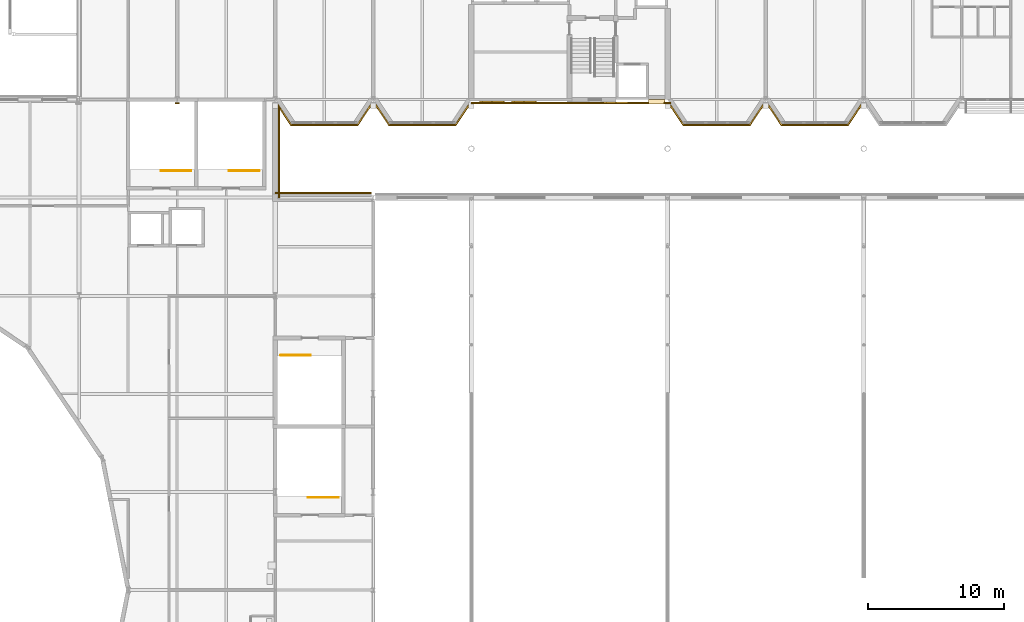
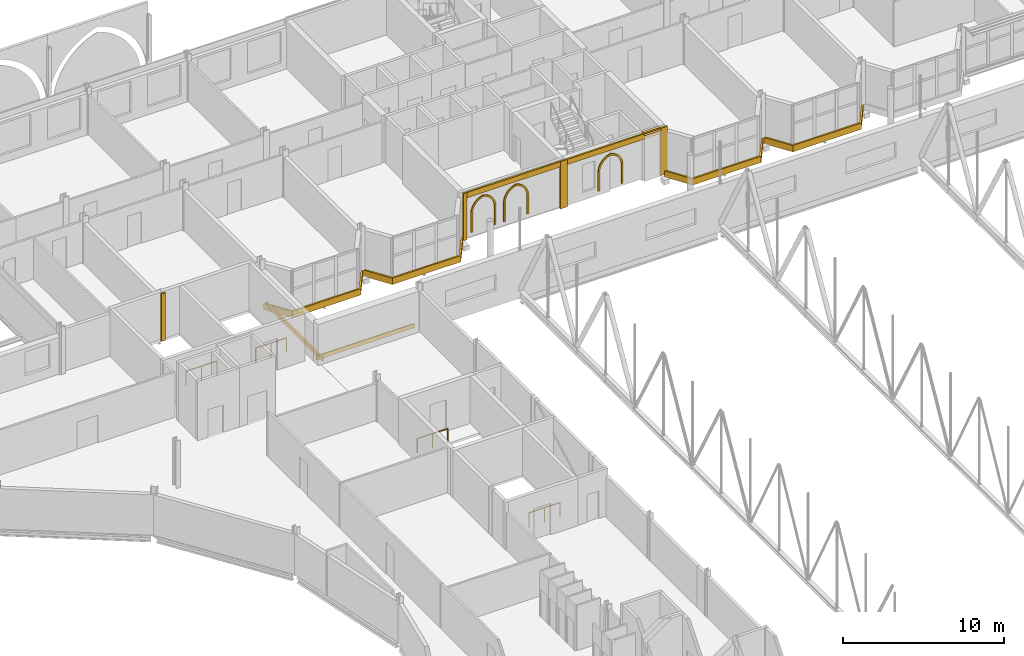
# One storey, part 127 of 142: 16 coverings, 4 railings.
"""IFC4 building model written with IfcOpenShell, lengths in metres."""

from ifc_helpers import new_model, si_unit, direction, frame, origin, origin_2d, place, context, subcontext, project, spatial, polyline, rectangle, circle, outline, extrude, material, layer, layer_set, type_object, element, save


model = new_model("IFC4")

# Units and contexts
model_context = context("Model", 3, precision=1e-05, world=origin(), true_north=direction((0.0, 1.0)))
body_context = subcontext(model_context, "Body", "Model", "MODEL_VIEW")
ifc_project = project(units=[si_unit("LENGTHUNIT", "METRE"), si_unit("AREAUNIT", "SQUARE_METRE"), si_unit("VOLUMEUNIT", "CUBIC_METRE"), si_unit("PLANEANGLEUNIT", "RADIAN"), si_unit("MASSUNIT", "GRAM", prefix="KILO")], contexts=[model_context])

# Site, building, storey
site_placement = place(None, origin())
site = spatial("IfcSite", under=ifc_project, at=site_placement, CompositionType="ELEMENT")
building_placement = place(site_placement, origin())
building = spatial("IfcBuilding", under=site, at=building_placement, Name="Kupolbacken Congress Centre", CompositionType="ELEMENT")
storey_placement = place(building_placement, frame((0.0, 0.0, 14.39990234375)))
storey = spatial("IfcBuildingStorey", under=building, at=storey_placement, Name="L04", CompositionType="ELEMENT", Elevation=14.39990234375)

# Coverings
ifc_material_1 = material(Name="Limestone cladding", Category="masonry")
ifc_layer_1 = layer(ifc_material_1, 0.1201171875)
ifc_layer_set_1 = layer_set([ifc_layer_1], Name="Limestone cladding")
covering_type_1 = type_object("IfcCoveringType", Name="CV1 limestone cladding band 120", PredefinedType="CLADDING", material=ifc_layer_set_1)
covering_1_placement = place(storey_placement, frame((79.47998046875, 118.69189453125, 0.0), z_axis=(0.0, 0.0, 1.0), x_axis=(0.0, 1.0, 0.0)))
element("IfcCovering", 1, at=covering_1_placement, inside=storey, type_object=covering_type_1, Name="E/P/E/L04/442/band", PredefinedType="CLADDING", context=body_context, shape_type="SweptSolid", body=[
    extrude(rectangle(XDim=6.98388671875, YDim=0.1201171875, at=origin_2d()), origin(), (0.0, 0.0, 1.0), 0.300048828125),
])
covering_2_placement = place(storey_placement, frame((0.0, 0.0, -0.199951171875)))
element("IfcCovering", 2, at=covering_2_placement, inside=storey, type_object=covering_type_1, Name="E/T/belt/L04/S/108", PredefinedType="CLADDING", context=body_context, shape_type="SweptSolid", body=[
    extrude(outline(polyline([(115.177490234375, 122.14990234375), (115.033203125, 122.14990234375), (114.0, 120.60009765625), (109.199951171875, 120.60009765625), (108.166748046875, 122.14990234375), (108.0224609375, 122.14990234375), (109.1357421875, 120.47998046875), (114.064208984375, 120.47998046875), (115.177490234375, 122.14990234375)])), origin(), (0.0, 0.0, 1.0), 0.47998046875),
])
covering_3_placement = place(storey_placement, frame((0.0, 0.0, -0.199951171875)))
element("IfcCovering", 3, at=covering_3_placement, inside=storey, type_object=covering_type_1, Name="E/T/belt/L04/S/115.2", PredefinedType="CLADDING", context=body_context, shape_type="SweptSolid", body=[
    extrude(outline(polyline([(122.377685546875, 122.14990234375), (122.2333984375, 122.14990234375), (121.199951171875, 120.60009765625), (116.39990234375, 120.60009765625), (115.36669921875, 122.14990234375), (115.222412109375, 122.14990234375), (116.335693359375, 120.47998046875), (121.26416015625, 120.47998046875), (122.377685546875, 122.14990234375)])), origin(), (0.0, 0.0, 1.0), 0.47998046875),
])
covering_4_placement = place(storey_placement, frame((0.0, 0.0, -0.199951171875)))
element("IfcCovering", 4, at=covering_4_placement, inside=storey, type_object=covering_type_1, Name="E/T/belt/L04/S/79.2", PredefinedType="CLADDING", context=body_context, shape_type="SweptSolid", body=[
    extrude(outline(polyline([(86.377685546875, 122.14990234375), (86.2333984375, 122.14990234375), (85.199951171875, 120.60009765625), (80.39990234375, 120.60009765625), (79.36669921875, 122.14990234375), (79.222412109375, 122.14990234375), (80.335693359375, 120.47998046875), (85.26416015625, 120.47998046875), (86.377685546875, 122.14990234375)])), origin(), (0.0, 0.0, 1.0), 0.47998046875),
])
covering_5_placement = place(storey_placement, frame((0.0, 0.0, -0.199951171875)))
element("IfcCovering", 5, at=covering_5_placement, inside=storey, type_object=covering_type_1, Name="E/T/belt/L04/S/86.4", PredefinedType="CLADDING", context=body_context, shape_type="SweptSolid", body=[
    extrude(outline(polyline([(93.57763671875, 122.14990234375), (93.433349609375, 122.14990234375), (92.39990234375, 120.60009765625), (87.60009765625, 120.60009765625), (86.566650390625, 122.14990234375), (86.42236328125, 122.14990234375), (87.535888671875, 120.47998046875), (92.464111328125, 120.47998046875), (93.57763671875, 122.14990234375)])), origin(), (0.0, 0.0, 1.0), 0.47998046875),
])
covering_6_placement = place(storey_placement, frame((107.199951171875, 122.2451171875, 3.4599609375), z_axis=(0.0, 0.0, 1.0), x_axis=(1.0, 0.0, 0.0)))
element("IfcCovering", 6, at=covering_6_placement, inside=storey, type_object=covering_type_1, Name="E/T/S/L04/056/band", PredefinedType="CLADDING", context=body_context, shape_type="SweptSolid", body=[
    extrude(rectangle(XDim=1.199951171875, YDim=0.31005859375, at=origin_2d()), origin(), (0.0, 0.0, 1.0), 0.139892578125),
])
covering_7_placement = place(storey_placement, frame((72.0, 122.134033203125, 0.0), z_axis=(0.0, 0.0, 1.0), x_axis=(1.0, 0.0, 0.0)))
element("IfcCovering", 7, at=covering_7_placement, inside=storey, type_object=covering_type_1, Name="E/T/pilaster/L04/C-T-11T/S", PredefinedType="CLADDING", context=body_context, shape_type="SweptSolid", body=[
    extrude(rectangle(XDim=0.306884765625, YDim=0.10009765625, at=origin_2d()), origin(), (0.0, 0.0, 1.0), 3.60009765625),
])
covering_8_placement = place(storey_placement, frame((93.72509765625, 122.1650390625, 0.0), z_axis=(0.0, 0.0, 1.0), x_axis=(1.0, 0.0, 0.0)))
element("IfcCovering", 8, at=covering_8_placement, inside=storey, type_object=covering_type_1, Name="E/T/stripe/S/L04/pil93.6", PredefinedType="CLADDING", context=body_context, shape_type="SweptSolid", body=[
    extrude(rectangle(XDim=0.25, YDim=0.1201171875, at=origin_2d()), origin(), (0.0, 0.0, 1.0), 3.60009765625),
])
for number, where, z_axis, x_axis, name in (
    (9, (100.800048828125, 122.1650390625, 0.0), (0.0, 0.0, 1.0), (1.0, 0.0, 0.0), "E/T/stripe/S/L04/pil100.8"),
    (10, (108.0, 122.1650390625, 0.0), (0.0, 0.0, 1.0), (1.0, 0.0, 0.0), "E/T/stripe/S/L04/pil108"),
):
    element("IfcCovering", number, at=place(storey_placement, frame(where, z_axis=z_axis, x_axis=x_axis)), inside=storey, type_object=covering_type_1, Name=name, PredefinedType="CLADDING", context=body_context, shape_type="SweptSolid", body=[
        extrude(rectangle(XDim=0.5, YDim=0.1201171875, at=origin_2d()), origin(), (0.0, 0.0, 1.0), 3.60009765625),
    ])
covering_9_placement = place(storey_placement, frame((97.199951171875, 122.1650390625, 3.2001953125), z_axis=(0.0, 0.0, 1.0), x_axis=(1.0, 0.0, 0.0)))
element("IfcCovering", 11, at=covering_9_placement, inside=storey, type_object=covering_type_1, Name="E/T/stripe/S/L04/belt93.6", PredefinedType="CLADDING", context=body_context, shape_type="SweptSolid", body=[
    extrude(rectangle(XDim=6.699951171875, YDim=0.1201171875, at=origin_2d()), origin(), (0.0, 0.0, 1.0), 0.39990234375),
])
covering_10_placement = place(storey_placement, frame((94.199951171875, 122.300048828125, 0.35009765625), z_axis=(0.0, -1.0, 0.0), x_axis=(1.0, 0.0, 0.0)))
element("IfcCovering", 12, at=covering_10_placement, inside=storey, type_object=covering_type_1, Name="E/T/stripe/S/L04/niche93.6/1", PredefinedType="CLADDING", context=body_context, shape_type="SweptSolid", body=[
    extrude(outline(polyline([(0.0, 0.0), (0.0, 1.43408203125), (0.00537109375, 1.54443359375), (0.021484375, 1.654052734375), (0.048095703125, 1.761474609375), (0.084716796875, 1.86572265625), (0.131591796875, 1.966064453125), (0.187744140625, 2.061279296875), (0.2529296875, 2.15087890625), (0.32666015625, 2.2333984375), (0.40771484375, 2.30859375), (0.495849609375, 2.37548828125), (0.590087890625, 2.433837890625), (0.689453125, 2.482421875), (0.793212890625, 2.521240234375), (0.89990234375, 2.550048828125), (1.0068359375, 2.521240234375), (1.110595703125, 2.482421875), (1.2099609375, 2.433837890625), (1.30419921875, 2.37548828125), (1.39208984375, 2.30859375), (1.473388671875, 2.2333984375), (1.547119140625, 2.15087890625), (1.6123046875, 2.061279296875), (1.66845703125, 1.966064453125), (1.715087890625, 1.86572265625), (1.751953125, 1.761474609375), (1.778564453125, 1.654052734375), (1.794677734375, 1.54443359375), (1.800048828125, 1.43408203125), (1.800048828125, 0.0), (1.679931640625, 0.0), (1.679931640625, 1.43408203125), (1.67529296875, 1.531005859375), (1.66162109375, 1.627197265625), (1.638671875, 1.7216796875), (1.60693359375, 1.8134765625), (1.566650390625, 1.90185546875), (1.51806640625, 1.986083984375), (1.461669921875, 2.065185546875), (1.398193359375, 2.138916015625), (1.327880859375, 2.205810546875), (1.25146484375, 2.26611328125), (1.169677734375, 2.318603515625), (1.08349609375, 2.36328125), (0.9931640625, 2.3994140625), (0.89990234375, 2.427001953125), (0.806884765625, 2.3994140625), (0.716552734375, 2.36328125), (0.63037109375, 2.318603515625), (0.548583984375, 2.26611328125), (0.47216796875, 2.205810546875), (0.40185546875, 2.138916015625), (0.33837890625, 2.065185546875), (0.281982421875, 1.986083984375), (0.2333984375, 1.90185546875), (0.193115234375, 1.8134765625), (0.161376953125, 1.7216796875), (0.138427734375, 1.627197265625), (0.12451171875, 1.531005859375), (0.1201171875, 1.43408203125), (0.1201171875, 0.0), (0.0, 0.0)])), origin(), (0.0, 0.0, 1.0), 0.080078125),
])
covering_11_placement = place(storey_placement, frame((96.550048828125, 122.300048828125, 0.35009765625), z_axis=(0.0, -1.0, 0.0), x_axis=(1.0, 0.0, 0.0)))
element("IfcCovering", 13, at=covering_11_placement, inside=storey, type_object=covering_type_1, Name="E/T/stripe/S/L04/niche93.6/2", PredefinedType="CLADDING", context=body_context, shape_type="SweptSolid", body=[
    extrude(outline(polyline([(0.0, 0.0), (0.0, 1.43408203125), (0.00537109375, 1.54443359375), (0.021484375, 1.654052734375), (0.048095703125, 1.761474609375), (0.084716796875, 1.86572265625), (0.131591796875, 1.966064453125), (0.187744140625, 2.061279296875), (0.2529296875, 2.15087890625), (0.32666015625, 2.2333984375), (0.40771484375, 2.30859375), (0.495849609375, 2.37548828125), (0.590087890625, 2.433837890625), (0.689453125, 2.482421875), (0.793212890625, 2.521240234375), (0.89990234375, 2.550048828125), (1.0068359375, 2.521240234375), (1.110595703125, 2.482421875), (1.2099609375, 2.433837890625), (1.30419921875, 2.37548828125), (1.39208984375, 2.30859375), (1.473388671875, 2.2333984375), (1.547119140625, 2.15087890625), (1.6123046875, 2.061279296875), (1.66845703125, 1.966064453125), (1.715087890625, 1.86572265625), (1.751953125, 1.761474609375), (1.778564453125, 1.654052734375), (1.794677734375, 1.54443359375), (1.800048828125, 1.43408203125), (1.800048828125, 0.0), (1.679931640625, 0.0), (1.679931640625, 1.43408203125), (1.67529296875, 1.531005859375), (1.66162109375, 1.627197265625), (1.638671875, 1.7216796875), (1.60693359375, 1.8134765625), (1.566650390625, 1.90185546875), (1.51806640625, 1.986083984375), (1.461669921875, 2.065185546875), (1.398193359375, 2.138916015625), (1.327880859375, 2.205810546875), (1.25146484375, 2.26611328125), (1.169677734375, 2.318603515625), (1.08349609375, 2.36328125), (0.9931640625, 2.3994140625), (0.89990234375, 2.427001953125), (0.806884765625, 2.3994140625), (0.716552734375, 2.36328125), (0.63037109375, 2.318603515625), (0.548583984375, 2.26611328125), (0.47216796875, 2.205810546875), (0.40185546875, 2.138916015625), (0.33837890625, 2.065185546875), (0.281982421875, 1.986083984375), (0.2333984375, 1.90185546875), (0.193115234375, 1.8134765625), (0.161376953125, 1.7216796875), (0.138427734375, 1.627197265625), (0.12451171875, 1.531005859375), (0.1201171875, 1.43408203125), (0.1201171875, 0.0), (0.0, 0.0)])), origin(), (0.0, 0.0, 1.0), 0.080078125),
])
covering_12_placement = place(storey_placement, frame((104.39990234375, 122.1650390625, 3.2001953125), z_axis=(0.0, 0.0, 1.0), x_axis=(1.0, 0.0, 0.0)))
element("IfcCovering", 14, at=covering_12_placement, inside=storey, type_object=covering_type_1, Name="E/T/stripe/S/L04/belt100.8", PredefinedType="CLADDING", context=body_context, shape_type="SweptSolid", body=[
    extrude(rectangle(XDim=6.699951171875, YDim=0.1201171875, at=origin_2d()), origin(), (0.0, 0.0, 1.0), 0.39990234375),
])
covering_13_placement = place(storey_placement, frame((103.300048828125, 122.22509765625, 0.35009765625), z_axis=(0.0, -1.0, 0.0), x_axis=(1.0, 0.0, 0.0)))
element("IfcCovering", 15, at=covering_13_placement, inside=storey, type_object=covering_type_1, Name="E/T/stripe/S/L04/niche100.8/1", PredefinedType="CLADDING", context=body_context, shape_type="SweptSolid", body=[
    extrude(outline(polyline([(0.0, 0.0), (0.0, 1.43408203125), (0.00537109375, 1.54443359375), (0.021484375, 1.654052734375), (0.048095703125, 1.761474609375), (0.084716796875, 1.86572265625), (0.131591796875, 1.966064453125), (0.187744140625, 2.061279296875), (0.2529296875, 2.15087890625), (0.32666015625, 2.2333984375), (0.40771484375, 2.30859375), (0.495849609375, 2.37548828125), (0.590087890625, 2.433837890625), (0.689453125, 2.482421875), (0.793212890625, 2.521240234375), (0.89990234375, 2.550048828125), (1.0068359375, 2.521240234375), (1.110595703125, 2.482421875), (1.2099609375, 2.433837890625), (1.30419921875, 2.37548828125), (1.39208984375, 2.30859375), (1.473388671875, 2.2333984375), (1.547119140625, 2.15087890625), (1.6123046875, 2.061279296875), (1.66845703125, 1.966064453125), (1.715087890625, 1.86572265625), (1.751953125, 1.761474609375), (1.778564453125, 1.654052734375), (1.794677734375, 1.54443359375), (1.800048828125, 1.43408203125), (1.800048828125, 0.0), (1.679931640625, 0.0), (1.679931640625, 1.43408203125), (1.67529296875, 1.531005859375), (1.66162109375, 1.627197265625), (1.638671875, 1.7216796875), (1.60693359375, 1.8134765625), (1.566650390625, 1.90185546875), (1.51806640625, 1.986083984375), (1.461669921875, 2.065185546875), (1.398193359375, 2.138916015625), (1.327880859375, 2.205810546875), (1.25146484375, 2.26611328125), (1.169677734375, 2.318603515625), (1.08349609375, 2.36328125), (0.9931640625, 2.3994140625), (0.89990234375, 2.427001953125), (0.806884765625, 2.3994140625), (0.716552734375, 2.36328125), (0.63037109375, 2.318603515625), (0.548583984375, 2.26611328125), (0.47216796875, 2.205810546875), (0.40185546875, 2.138916015625), (0.33837890625, 2.065185546875), (0.281982421875, 1.986083984375), (0.2333984375, 1.90185546875), (0.193115234375, 1.8134765625), (0.161376953125, 1.7216796875), (0.138427734375, 1.627197265625), (0.12451171875, 1.531005859375), (0.1201171875, 1.43408203125), (0.1201171875, 0.0), (0.0, 0.0)])), origin(), (0.0, 0.0, 1.0), 0.080078125),
])
ifc_material_2 = material(Name="Brick cladding", Category="masonry")
ifc_layer_2 = layer(ifc_material_2, 0.10791015625)
ifc_layer_set_2 = layer_set([ifc_layer_2], Name="Brick cladding")
covering_type_2 = type_object("IfcCoveringType", Name="CV2 brick cladding band 108", PredefinedType="CLADDING", material=ifc_layer_set_2)
covering_14_placement = place(storey_placement, frame((82.72509765625, 115.533935546875, 0.0), z_axis=(0.0, 0.0, 1.0), x_axis=(-1.0, 0.0, 0.0)))
element("IfcCovering", 16, at=covering_14_placement, inside=storey, type_object=covering_type_2, Name="E/LINK/N/L04/440/band", PredefinedType="CLADDING", context=body_context, shape_type="SweptSolid", body=[
    extrude(rectangle(XDim=7.050048828125, YDim=0.10791015625, at=origin_2d()), origin(), (0.0, 0.0, 1.0), 0.300048828125),
])

# Railings
ifc_material_3 = material(Name="Steel S235", Category="steel")
railing_type = type_object("IfcRailingType", Name="RL1 guard 1100 steel balustrade", PredefinedType="GUARDRAIL", material=ifc_material_3)
for number, where, name in (
    (17, (73.02490234375, 117.18505859375, 0.0), "C/guard/PS1NE/L04"),
    (18, (78.02490234375, 117.18505859375, 0.0), "C/guard/PS2NE/L04"),
    (19, (83.824951171875, 93.18505859375, 0.0), "C/guard/LS4/L04"),
):
    element("IfcRailing", number, at=place(storey_placement, frame(where)), inside=storey, type_object=railing_type, Name=name, PredefinedType="GUARDRAIL", context=body_context, shape_type="SweptSolid", body=[
        extrude(circle(Radius=0.02392578125, at=origin_2d()), frame((0.0, 0.0, 1.076171875), z_axis=(-1.0, 0.0, 0.0), x_axis=(0.0, -1.0, 0.0)), (0.0, 0.0, 1.0), 2.224853515625),
        extrude(circle(Radius=0.02099609375, at=origin_2d()), origin(), (0.0, 0.0, 1.0), 1.052001953125),
        extrude(circle(Radius=0.02099609375, at=origin_2d()), frame((-1.1123046875, 0.0, 0.0)), (0.0, 0.0, 1.0), 1.052001953125),
        extrude(circle(Radius=0.02099609375, at=origin_2d()), frame((-2.224853515625, 0.0, 0.0)), (0.0, 0.0, 1.0), 1.052001953125),
    ])
railing_placement = place(storey_placement, frame((79.60009765625, 103.639892578125, 0.0)))
element("IfcRailing", 20, at=railing_placement, inside=storey, type_object=railing_type, Name="C/guard/LS2/L04", PredefinedType="GUARDRAIL", context=body_context, shape_type="SweptSolid", body=[
    extrude(circle(Radius=0.02392578125, at=origin_2d()), frame((0.0, 0.0, 1.076171875), z_axis=(1.0, 0.0, 0.0), x_axis=(0.0, 1.0, 0.0)), (0.0, 0.0, 1.0), 2.199951171875),
    extrude(circle(Radius=0.02099609375, at=origin_2d()), origin(), (0.0, 0.0, 1.0), 1.052001953125),
    extrude(circle(Radius=0.02099609375, at=origin_2d()), frame((1.10009765625, 0.0, 0.0)), (0.0, 0.0, 1.0), 1.052001953125),
    extrude(circle(Radius=0.02099609375, at=origin_2d()), frame((2.199951171875, 0.0, 0.0)), (0.0, 0.0, 1.0), 1.052001953125),
])

save(model, "model.ifc")
